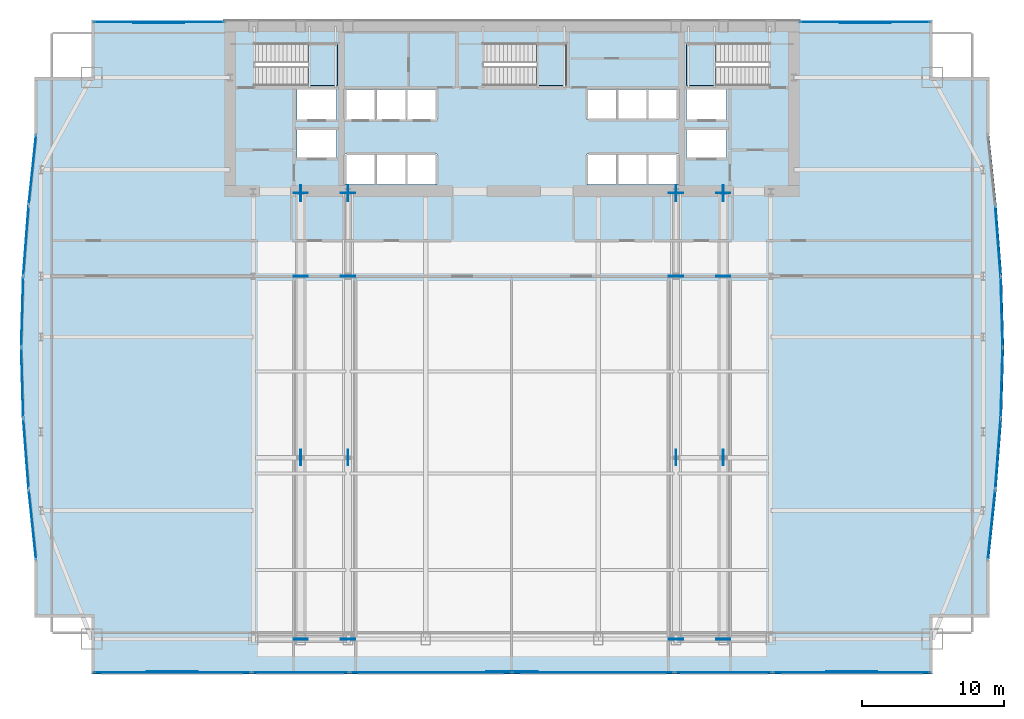
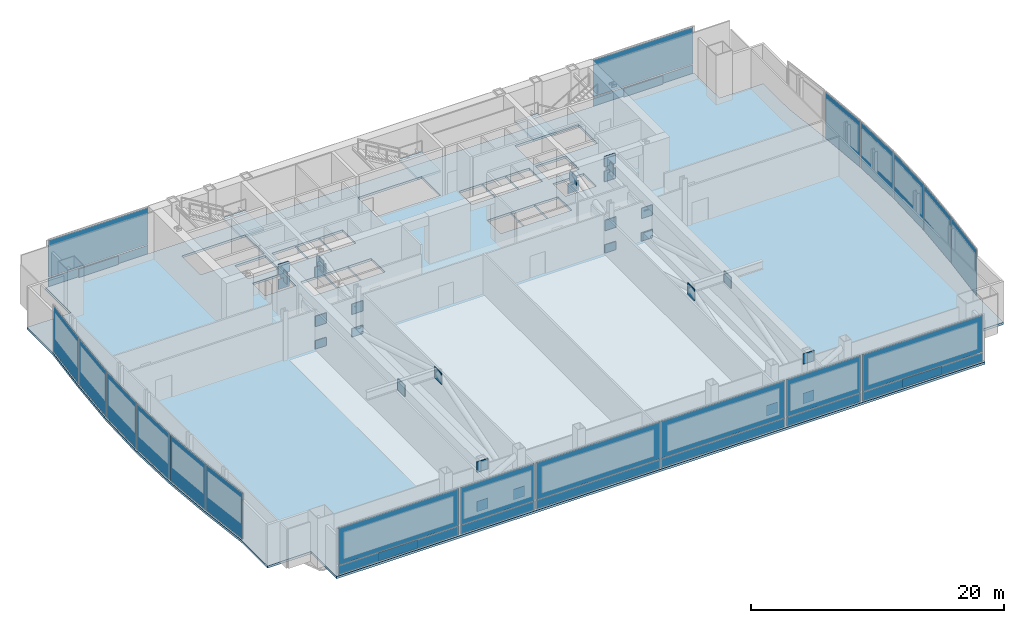
# One storey, part 25 of 32: 60 plates, 4 slabs, 21 elements without a shape of their own.
"""IFC4 building model written with IfcOpenShell, lengths in metres."""

import ifcopenshell
import ifcopenshell.guid

model = None  # the IFC model being written
_history = None  # IfcOwnerHistory: only IFC2X3 demands one
_inside = {}  # id of a spatial element -> (the spatial element, [elements in it])
_under = {}  # id of a project, library or spatial element -> (it, [spatial elements below it])
_declared = {}  # id of a project -> (the project, [libraries it declares])
_typed = {}  # id of a type object -> (the type object, [elements of that type])
_made_of = {}  # id of a material, layer set ... -> (it, [elements and type objects made of it])


def new_model(schema):
    """Start an empty IFC model of exactly this schema.

    Asked for "IFC4X3", IfcOpenShell would pick the latest addendum, in which some entities
    have other attributes; the version numbers below select the first issue.
    IFC2X3 requires an IfcOwnerHistory on every rooted entity: one is made here for all.
    """
    global model, _history
    if schema == "IFC4X3":
        model = ifcopenshell.file(schema_version=(4, 3, 0, 0))
    else:
        model = ifcopenshell.file(schema=schema)
    _inside.clear()
    _under.clear()
    _declared.clear()
    _typed.clear()
    _made_of.clear()
    _history = None
    if model.schema == "IFC2X3":
        org = make("IfcOrganization", Name="unknown")
        user = make(
            "IfcPersonAndOrganization",
            ThePerson=make("IfcPerson", FamilyName="unknown"),
            TheOrganization=org,
        )
        app = make(
            "IfcApplication",
            ApplicationDeveloper=org,
            Version="unknown",
            ApplicationFullName="unknown",
            ApplicationIdentifier="unknown",
        )
        _history = make(
            "IfcOwnerHistory",
            OwningUser=user,
            OwningApplication=app,
            ChangeAction="ADDED",
            CreationDate=0,
        )
    return model


def make(cls, **values):
    """One entity of the class cls with the attributes given. An attribute that is None is left unset."""
    return model.create_entity(
        cls, **{name: value for name, value in values.items() if value is not None}
    )


def rooted(cls, **values):
    """An entity with a GlobalId (a new one), such as an element, a storey or a relation."""
    return make(cls, GlobalId=ifcopenshell.guid.new(), OwnerHistory=_history, **values)


def si_unit(unit_type, name, prefix=None):
    """IfcSIUnit, for example si_unit("LENGTHUNIT", "METRE", prefix="MILLI")."""
    return make("IfcSIUnit", UnitType=unit_type, Prefix=prefix, Name=name)


def assignment(units):
    """IfcUnitAssignment: the units of a project."""
    return None if units is None else make("IfcUnitAssignment", Units=units)


def point(xyz):
    """IfcCartesianPoint."""
    return None if xyz is None else make("IfcCartesianPoint", Coordinates=xyz)


def direction(xyz):
    """IfcDirection."""
    return None if xyz is None else make("IfcDirection", DirectionRatios=xyz)


def frame(location, z_axis=None, x_axis=None):
    """IfcAxis2Placement3D, a coordinate frame: its origin and axes. An axis left out is left unset."""
    return make(
        "IfcAxis2Placement3D",
        Location=point(location),
        Axis=direction(z_axis),
        RefDirection=direction(x_axis),
    )


def frame_2d(location, x_axis=None):
    """IfcAxis2Placement2D, a coordinate frame in the plane: its origin and x axis."""
    return make(
        "IfcAxis2Placement2D", Location=point(location), RefDirection=direction(x_axis)
    )


def origin():
    """The frame at (0, 0, 0) with its axes left unset."""
    return frame((0.0, 0.0, 0.0))


def origin_2d():
    """The frame at (0, 0) in the plane with its x axis left unset."""
    return frame_2d((0.0, 0.0))


def place(relative_to, where):
    """IfcLocalPlacement: puts the frame where relative to a parent placement (None: the world)."""
    return make(
        "IfcLocalPlacement", PlacementRelTo=relative_to, RelativePlacement=where
    )


def context(
    kind, dimensions, precision=None, world=None, true_north=None, identifier=None
):
    """IfcGeometricRepresentationContext, for example the 3D "Model" context."""
    return make(
        "IfcGeometricRepresentationContext",
        ContextIdentifier=identifier,
        ContextType=kind,
        CoordinateSpaceDimension=dimensions,
        Precision=precision,
        WorldCoordinateSystem=world,
        TrueNorth=true_north,
    )


def subcontext(parent, identifier, kind, view, scale=None):
    """IfcGeometricRepresentationSubContext, for example "Body" below "Model"."""
    return make(
        "IfcGeometricRepresentationSubContext",
        ContextIdentifier=identifier,
        ContextType=kind,
        ParentContext=parent,
        TargetScale=scale,
        TargetView=view,
    )


def project(units=None, contexts=None):
    """IfcProject with its units and contexts."""
    return rooted(
        "IfcProject",
        Name="project",
        RepresentationContexts=contexts,
        UnitsInContext=assignment(units),
    )


def spatial(cls, under=None, at=None, **own):
    """A site, building, storey or space (cls), placed at a placement, below another one or the project."""
    s = rooted(cls, ObjectPlacement=at, **own)
    if under is not None:
        _under.setdefault(under.id(), (under, []))[1].append(s)
    return s


def polyline(points):
    """IfcPolyline through the points."""
    return make("IfcPolyline", Points=[point(p) for p in points])


def profile(cls, at=None, kind="AREA", **sizes):
    """A parametric profile (cls). Its sizes go by their IFC names, for example OverallWidth=200.0."""
    return make(cls, ProfileType=kind, Position=at, **sizes)


def rectangle(**sizes):
    """IfcRectangleProfileDef."""
    return profile("IfcRectangleProfileDef", **sizes)


def outline(outer, holes=None, kind="AREA"):
    """IfcArbitraryClosedProfileDef: a profile drawn as a closed curve; with holes, ...WithVoids."""
    if holes is None:
        return make("IfcArbitraryClosedProfileDef", ProfileType=kind, OuterCurve=outer)
    return make(
        "IfcArbitraryProfileDefWithVoids",
        ProfileType=kind,
        OuterCurve=outer,
        InnerCurves=holes,
    )


def extrude(swept, where, along, depth):
    """IfcExtrudedAreaSolid: the profile swept, set in the frame where, extruded along a direction by depth."""
    return make(
        "IfcExtrudedAreaSolid",
        SweptArea=swept,
        Position=where,
        ExtrudedDirection=direction(along),
        Depth=depth,
    )


def shape(context_of_items, identifier, shape_type, items):
    """IfcShapeRepresentation: the items that make up one representation, for example the "Body"."""
    return make(
        "IfcShapeRepresentation",
        ContextOfItems=context_of_items,
        RepresentationIdentifier=identifier,
        RepresentationType=shape_type,
        Items=items,
    )


def material(Name=None, Category=None):
    """IfcMaterial."""
    return make("IfcMaterial", Name=Name, Category=Category)


def layer(
    of_material, thickness, ventilated=None, Name=None, Category=None, Priority=None
):
    """IfcMaterialLayer: one layer of a wall or slab, of a material (None: an air gap)."""
    return make(
        "IfcMaterialLayer",
        Material=of_material,
        LayerThickness=thickness,
        IsVentilated=ventilated,
        Name=Name,
        Category=Category,
        Priority=Priority,
    )


def layer_set(layers, Name=None):
    """IfcMaterialLayerSet."""
    return make("IfcMaterialLayerSet", MaterialLayers=layers, LayerSetName=Name)


def made_of(thing, what):
    """Note that an element or type object is made of a material, layer set ...; save() writes the relation."""
    if what is not None:
        _made_of.setdefault(what.id(), (what, []))[1].append(thing)
    return thing


def type_object(cls, material=None, **own):
    """A type object (cls), such as IfcWallType, which elements share."""
    return made_of(rooted(cls, **own), material)


def element(
    cls,
    number,
    at=None,
    inside=None,
    cuts=None,
    type_object=None,
    material=None,
    context=None,
    identifier="Body",
    shape_type=None,
    held_by="IfcProductDefinitionShape",
    body=None,
    shapes=None,
    **own,
):
    """One element of the class cls, such as IfcWall. Its Tag is "e" and its number.

    at: its placement. inside: the storey or other place that contains it. cuts: it is an
    opening in that element (IfcRelVoidsElement). A single representation is given by context,
    identifier, shape_type and body (its items); several are given by shapes. held_by: the class
    of the entity that holds the representations. save() writes the other relations.
    """
    e = rooted(cls, Tag="e%d" % number, ObjectPlacement=at, **own)
    if body is not None:
        shapes = [shape(context, identifier, shape_type, body)]
    if shapes is not None:
        e.Representation = make(held_by, Representations=shapes)
    if inside is not None:
        _inside.setdefault(inside.id(), (inside, []))[1].append(e)
    if cuts is not None:
        rooted(
            "IfcRelVoidsElement", RelatingBuildingElement=cuts, RelatedOpeningElement=e
        )
    if type_object is not None:
        _typed.setdefault(type_object.id(), (type_object, []))[1].append(e)
    return made_of(e, material)


def aggregate(whole, parts):
    """IfcRelAggregates: a whole, such as a stair, and the parts it consists of."""
    return rooted("IfcRelAggregates", RelatingObject=whole, RelatedObjects=parts)


def save(model, path):
    """Write the relations noted so far, then the file.

    IfcRelAggregates (storeys below a building ...), IfcRelContainedInSpatialStructure (elements
    in a storey), IfcRelDefinesByType, IfcRelAssociatesMaterial and IfcRelDeclares: one each for
    every whole, place, type object, material and project.
    """
    for whole, parts in _under.values():
        aggregate(whole, parts)
    for where, things in _inside.values():
        rooted(
            "IfcRelContainedInSpatialStructure",
            RelatedElements=things,
            RelatingStructure=where,
        )
    for kind, things in _typed.values():
        rooted("IfcRelDefinesByType", RelatedObjects=things, RelatingType=kind)
    for what, things in _made_of.values():
        rooted("IfcRelAssociatesMaterial", RelatedObjects=things, RelatingMaterial=what)
    for by, libraries in _declared.values():
        rooted("IfcRelDeclares", RelatingContext=by, RelatedDefinitions=libraries)
    model.write(path)


model = new_model("IFC4")

# Units and contexts
model_context = context("Model", 3, precision=1e-05, world=origin(), true_north=direction((0.0, 1.0)))
body_context = subcontext(model_context, "Body", "Model", "MODEL_VIEW")
ifc_project = project(units=[si_unit("LENGTHUNIT", "METRE"), si_unit("AREAUNIT", "SQUARE_METRE"), si_unit("VOLUMEUNIT", "CUBIC_METRE"), si_unit("PLANEANGLEUNIT", "RADIAN"), si_unit("MASSUNIT", "GRAM", prefix="KILO")], contexts=[model_context])

# Site, building, storey
site_placement = place(None, origin())
site = spatial("IfcSite", under=ifc_project, at=site_placement, CompositionType="ELEMENT")
building_placement = place(site_placement, origin())
building = spatial("IfcBuilding", under=site, at=building_placement, Name="Khoronbel Lancet Exchange", CompositionType="ELEMENT")
storey_placement = place(building_placement, frame((0.0, 0.0, 85.800048828125)))
storey = spatial("IfcBuildingStorey", under=building, at=storey_placement, Name="L20", CompositionType="ELEMENT", Elevation=85.800048828125)

# Curtain wall, plate
ifc_material_1 = material(Name="Low-E Solar Control Insulating Glass", Category="glass")
curtain_wall_type_1 = type_object("IfcCurtainWallType", Name="CW-4", PredefinedType="NOTDEFINED", material=ifc_material_1)
curtain_wall_1_placement = place(storey_placement, origin())
curtain_wall_1 = element("IfcCurtainWall", 1, at=curtain_wall_1_placement, inside=storey, type_object=curtain_wall_type_1, Name="Unitised curtain wall CW-L20-E05", PredefinedType="NOTDEFINED")
ifc_material_2 = material(Name="Bronze-Anodised Aluminium 6063-T6", Category="aluminium")
ifc_layer_1 = layer(ifc_material_2, 0.050048828125, Name="Bronze-Anodised Aluminium 6063-T6")
ifc_layer_set_1 = layer_set([ifc_layer_1], Name="Bronze-Anodised Aluminium 6063-T6")
plate_type_1 = type_object("IfcPlateType", Name="PLT-CSP1", PredefinedType="SHEET", material=ifc_layer_set_1)
plate_1_placement = place(storey_placement, frame((2.22265625, 23.206298828125, 0.0849609375), z_axis=(0.0, 0.0, 1.0), x_axis=(-0.076626304874, 0.997059882555, 0.0)))
plate_1 = element("IfcPlate", 2, at=plate_1_placement, type_object=plate_type_1, Name="CW4 panel 1.1", PredefinedType="CURTAIN_PANEL", context=body_context, shape_type="SweptSolid", body=[
    extrude(rectangle(XDim=4.861328125, YDim=0.0380859375, at=origin_2d()), origin(), (0.0, 0.0, 1.0), 4.449951171875),
])
aggregate(curtain_wall_1, [plate_1])

curtain_wall_2_placement = place(storey_placement, origin())
curtain_wall_2 = element("IfcCurtainWall", 3, at=curtain_wall_2_placement, inside=storey, type_object=curtain_wall_type_1, Name="Unitised curtain wall CW-L20-E06", PredefinedType="NOTDEFINED")
plate_2_placement = place(storey_placement, frame((1.960205078125, 28.202392578125, 0.0849609375), z_axis=(0.0, 0.0, 1.0), x_axis=(-0.028135315146, 0.999604123662, 0.0)))
plate_2 = element("IfcPlate", 4, at=plate_2_placement, type_object=plate_type_1, Name="CW4 panel 1.1", PredefinedType="CURTAIN_PANEL", context=body_context, shape_type="SweptSolid", body=[
    extrude(rectangle(XDim=4.84716796875, YDim=0.0380859375, at=origin_2d()), origin(), (0.0, 0.0, 1.0), 4.449951171875),
])
aggregate(curtain_wall_2, [plate_2])

curtain_wall_3_placement = place(storey_placement, origin())
curtain_wall_3 = element("IfcCurtainWall", 5, at=curtain_wall_3_placement, inside=storey, type_object=curtain_wall_type_1, Name="Unitised curtain wall CW-L20-E07", PredefinedType="NOTDEFINED")
plate_3_placement = place(storey_placement, frame((1.960205078125, 33.19775390625, 0.0849609375), z_axis=(0.0, 0.0, 1.0), x_axis=(0.028135315146, 0.999604123662, 0.0)))
plate_3 = element("IfcPlate", 6, at=plate_3_placement, type_object=plate_type_1, Name="CW4 panel 1.1", PredefinedType="CURTAIN_PANEL", context=body_context, shape_type="SweptSolid", body=[
    extrude(rectangle(XDim=4.84716796875, YDim=0.0380859375, at=origin_2d()), origin(), (0.0, 0.0, 1.0), 4.449951171875),
])
aggregate(curtain_wall_3, [plate_3])

curtain_wall_4_placement = place(storey_placement, origin())
curtain_wall_4 = element("IfcCurtainWall", 7, at=curtain_wall_4_placement, inside=storey, type_object=curtain_wall_type_1, Name="Unitised curtain wall CW-L20-E08", PredefinedType="NOTDEFINED")
plate_4_placement = place(storey_placement, frame((2.22265625, 38.193603515625, 0.0849609375), z_axis=(0.0, 0.0, 1.0), x_axis=(0.076626304874, 0.997059882555, 0.0)))
plate_4 = element("IfcPlate", 8, at=plate_4_placement, type_object=plate_type_1, Name="CW4 panel 1.1", PredefinedType="CURTAIN_PANEL", context=body_context, shape_type="SweptSolid", body=[
    extrude(rectangle(XDim=4.861328125, YDim=0.0380859375, at=origin_2d()), origin(), (0.0, 0.0, 1.0), 4.449951171875),
])
aggregate(curtain_wall_4, [plate_4])

curtain_wall_type_2 = type_object("IfcCurtainWallType", Name="CW-2", PredefinedType="NOTDEFINED", material=ifc_material_1)
curtain_wall_5_placement = place(storey_placement, origin())
curtain_wall_5 = element("IfcCurtainWall", 9, at=curtain_wall_5_placement, inside=storey, type_object=curtain_wall_type_2, Name="Unitised curtain wall CW-L20-NWFLK", PredefinedType="NOTDEFINED")
plate_5_placement = place(storey_placement, frame((11.580078125, 53.550048828125, 0.0498046875), z_axis=(0.0, 0.0, 1.0), x_axis=(-1.0, 0.0, 0.0)))
plate_5 = element("IfcPlate", 10, at=plate_5_placement, type_object=plate_type_1, Name="Insulated bronze spandrel cassette CW-L20-NWFLK", PredefinedType="SHEET", context=body_context, shape_type="SweptSolid", body=[
    extrude(rectangle(XDim=3.60009765625, YDim=0.050048828125, at=origin_2d()), origin(), (0.0, 0.0, 1.0), 0.800048828125),
])

curtain_wall_6_placement = place(storey_placement, origin())
curtain_wall_6 = element("IfcCurtainWall", 11, at=curtain_wall_6_placement, inside=storey, type_object=curtain_wall_type_2, Name="Unitised curtain wall CW-L20-NEFLK", PredefinedType="NOTDEFINED")
plate_6_placement = place(storey_placement, frame((61.320068359375, 53.550048828125, 0.0498046875), z_axis=(0.0, 0.0, 1.0), x_axis=(-1.0, 0.0, 0.0)))
plate_6 = element("IfcPlate", 12, at=plate_6_placement, type_object=plate_type_1, Name="Insulated bronze spandrel cassette CW-L20-NEFLK", PredefinedType="SHEET", context=body_context, shape_type="SweptSolid", body=[
    extrude(rectangle(XDim=3.60009765625, YDim=0.050048828125, at=origin_2d()), origin(), (0.0, 0.0, 1.0), 0.800048828125),
])

curtain_wall_7_placement = place(storey_placement, origin())
curtain_wall_7 = element("IfcCurtainWall", 13, at=curtain_wall_7_placement, inside=storey, type_object=curtain_wall_type_1, Name="Unitised curtain wall CW-L20-E18", PredefinedType="NOTDEFINED")
plate_7_placement = place(storey_placement, frame((70.677490234375, 38.193603515625, 0.0849609375), z_axis=(0.0, 0.0, 1.0), x_axis=(0.076626304874, -0.997059882555, 0.0)))
plate_7 = element("IfcPlate", 14, at=plate_7_placement, type_object=plate_type_1, Name="CW4 panel 1.1", PredefinedType="CURTAIN_PANEL", context=body_context, shape_type="SweptSolid", body=[
    extrude(rectangle(XDim=4.861328125, YDim=0.0380859375, at=origin_2d()), origin(), (0.0, 0.0, 1.0), 4.449951171875),
])
aggregate(curtain_wall_7, [plate_7])

curtain_wall_8_placement = place(storey_placement, origin())
curtain_wall_8 = element("IfcCurtainWall", 15, at=curtain_wall_8_placement, inside=storey, type_object=curtain_wall_type_1, Name="Unitised curtain wall CW-L20-E19", PredefinedType="NOTDEFINED")
plate_8_placement = place(storey_placement, frame((70.939697265625, 33.19775390625, 0.0849609375), z_axis=(0.0, 0.0, 1.0), x_axis=(0.028135315146, -0.999604123662, 0.0)))
plate_8 = element("IfcPlate", 16, at=plate_8_placement, type_object=plate_type_1, Name="CW4 panel 1.1", PredefinedType="CURTAIN_PANEL", context=body_context, shape_type="SweptSolid", body=[
    extrude(rectangle(XDim=4.84716796875, YDim=0.0380859375, at=origin_2d()), origin(), (0.0, 0.0, 1.0), 4.449951171875),
])
aggregate(curtain_wall_8, [plate_8])

curtain_wall_9_placement = place(storey_placement, origin())
curtain_wall_9 = element("IfcCurtainWall", 17, at=curtain_wall_9_placement, inside=storey, type_object=curtain_wall_type_1, Name="Unitised curtain wall CW-L20-E20", PredefinedType="NOTDEFINED")
plate_9_placement = place(storey_placement, frame((70.939697265625, 28.202392578125, 0.0849609375), z_axis=(0.0, 0.0, 1.0), x_axis=(-0.028135315146, -0.999604123662, 0.0)))
plate_9 = element("IfcPlate", 18, at=plate_9_placement, type_object=plate_type_1, Name="CW4 panel 1.1", PredefinedType="CURTAIN_PANEL", context=body_context, shape_type="SweptSolid", body=[
    extrude(rectangle(XDim=4.84716796875, YDim=0.0380859375, at=origin_2d()), origin(), (0.0, 0.0, 1.0), 4.449951171875),
])
aggregate(curtain_wall_9, [plate_9])

curtain_wall_10_placement = place(storey_placement, origin())
curtain_wall_10 = element("IfcCurtainWall", 19, at=curtain_wall_10_placement, inside=storey, type_object=curtain_wall_type_1, Name="Unitised curtain wall CW-L20-E21", PredefinedType="NOTDEFINED")
plate_10_placement = place(storey_placement, frame((70.677490234375, 23.206298828125, 0.0849609375), z_axis=(0.0, 0.0, 1.0), x_axis=(-0.076626304874, -0.997059882555, 0.0)))
plate_10 = element("IfcPlate", 20, at=plate_10_placement, type_object=plate_type_1, Name="CW4 panel 1.1", PredefinedType="CURTAIN_PANEL", context=body_context, shape_type="SweptSolid", body=[
    extrude(rectangle(XDim=4.861328125, YDim=0.0380859375, at=origin_2d()), origin(), (0.0, 0.0, 1.0), 4.449951171875),
])
aggregate(curtain_wall_10, [plate_10])

curtain_wall_11_placement = place(storey_placement, origin())
curtain_wall_11 = element("IfcCurtainWall", 21, at=curtain_wall_11_placement, inside=storey, type_object=curtain_wall_type_2, Name="Unitised curtain wall CW-L20-SWV", PredefinedType="NOTDEFINED")
plate_11_placement = place(storey_placement, frame((12.52001953125, 7.85009765625, 0.0498046875), z_axis=(0.0, 0.0, 1.0), x_axis=(1.0, 0.0, 0.0)))
plate_11 = element("IfcPlate", 22, at=plate_11_placement, type_object=plate_type_1, Name="Insulated bronze spandrel cassette CW-L20-SWV", PredefinedType="SHEET", context=body_context, shape_type="SweptSolid", body=[
    extrude(rectangle(XDim=3.60009765625, YDim=0.050048828125, at=origin_2d()), origin(), (0.0, 0.0, 1.0), 0.800048828125),
])

# Curtain wall, plates
curtain_wall_12_placement = place(storey_placement, origin())
curtain_wall_12 = element("IfcCurtainWall", 23, at=curtain_wall_12_placement, inside=storey, type_object=curtain_wall_type_2, Name="Unitised curtain wall CW-L20-SWB", PredefinedType="NOTDEFINED")
plate_12_placement = place(storey_placement, frame((21.550048828125, 7.7900390625, 0.0849609375), z_axis=(0.0, 0.0, 1.0), x_axis=(1.0, 0.0, 0.0)))
plate_12 = element("IfcPlate", 24, at=plate_12_placement, type_object=plate_type_1, Name="CW2 panel 1.1", PredefinedType="CURTAIN_PANEL", context=body_context, shape_type="SweptSolid", body=[
    extrude(rectangle(XDim=6.72998046875, YDim=0.0380859375, at=origin_2d()), origin(), (0.0, 0.0, 1.0), 0.822509765625),
])
plate_13_placement = place(storey_placement, frame((21.550048828125, 7.7900390625, 0.992431640625), z_axis=(0.0, 0.0, 1.0), x_axis=(1.0, 0.0, 0.0)))
plate_13 = element("IfcPlate", 25, at=plate_13_placement, type_object=plate_type_1, Name="CW2 panel 1.2", PredefinedType="CURTAIN_PANEL", context=body_context, shape_type="SweptSolid", body=[
    extrude(rectangle(XDim=6.72998046875, YDim=0.0380859375, at=origin_2d()), origin(), (0.0, 0.0, 1.0), 3.54248046875),
])
aggregate(curtain_wall_12, [plate_12, plate_13])

# Curtain wall, plate
curtain_wall_13_placement = place(storey_placement, origin())
curtain_wall_13 = element("IfcCurtainWall", 26, at=curtain_wall_13_placement, inside=storey, type_object=curtain_wall_type_2, Name="Unitised curtain wall CW-L20-SCV", PredefinedType="NOTDEFINED")
plate_14_placement = place(storey_placement, frame((36.449951171875, 7.85009765625, 0.0498046875), z_axis=(0.0, 0.0, 1.0), x_axis=(1.0, 0.0, 0.0)))
plate_14 = element("IfcPlate", 27, at=plate_14_placement, type_object=plate_type_1, Name="Insulated bronze spandrel cassette CW-L20-SCV", PredefinedType="SHEET", context=body_context, shape_type="SweptSolid", body=[
    extrude(rectangle(XDim=3.60009765625, YDim=0.050048828125, at=origin_2d()), origin(), (0.0, 0.0, 1.0), 0.800048828125),
])

# Curtain wall, plates
curtain_wall_14_placement = place(storey_placement, origin())
curtain_wall_14 = element("IfcCurtainWall", 28, at=curtain_wall_14_placement, inside=storey, type_object=curtain_wall_type_2, Name="Unitised curtain wall CW-L20-SEB", PredefinedType="NOTDEFINED")
plate_15_placement = place(storey_placement, frame((51.35009765625, 7.7900390625, 0.0849609375), z_axis=(0.0, 0.0, 1.0), x_axis=(1.0, 0.0, 0.0)))
plate_15 = element("IfcPlate", 29, at=plate_15_placement, type_object=plate_type_1, Name="CW2 panel 1.1", PredefinedType="CURTAIN_PANEL", context=body_context, shape_type="SweptSolid", body=[
    extrude(rectangle(XDim=6.72998046875, YDim=0.0380859375, at=origin_2d()), origin(), (0.0, 0.0, 1.0), 0.822509765625),
])
plate_16_placement = place(storey_placement, frame((51.35009765625, 7.7900390625, 0.992431640625), z_axis=(0.0, 0.0, 1.0), x_axis=(1.0, 0.0, 0.0)))
plate_16 = element("IfcPlate", 30, at=plate_16_placement, type_object=plate_type_1, Name="CW2 panel 1.2", PredefinedType="CURTAIN_PANEL", context=body_context, shape_type="SweptSolid", body=[
    extrude(rectangle(XDim=6.72998046875, YDim=0.0380859375, at=origin_2d()), origin(), (0.0, 0.0, 1.0), 3.54248046875),
])
aggregate(curtain_wall_14, [plate_15, plate_16])

# Curtain wall, plate
curtain_wall_15_placement = place(storey_placement, origin())
curtain_wall_15 = element("IfcCurtainWall", 31, at=curtain_wall_15_placement, inside=storey, type_object=curtain_wall_type_2, Name="Unitised curtain wall CW-L20-SEV", PredefinedType="NOTDEFINED")
plate_17_placement = place(storey_placement, frame((60.3798828125, 7.85009765625, 0.0498046875), z_axis=(0.0, 0.0, 1.0), x_axis=(1.0, 0.0, 0.0)))
plate_17 = element("IfcPlate", 32, at=plate_17_placement, type_object=plate_type_1, Name="Insulated bronze spandrel cassette CW-L20-SEV", PredefinedType="SHEET", context=body_context, shape_type="SweptSolid", body=[
    extrude(rectangle(XDim=3.60009765625, YDim=0.050048828125, at=origin_2d()), origin(), (0.0, 0.0, 1.0), 0.800048828125),
])

# Plate
ifc_layer_2 = layer(ifc_material_1, 0.035888671875, Name="Low-E Solar Control Insulating Glass")
ifc_layer_set_2 = layer_set([ifc_layer_2], Name="Low-E Solar Control Insulating Glass")
plate_type_2 = type_object("IfcPlateType", Name="PLT-CWP1", PredefinedType="CURTAIN_PANEL", material=ifc_layer_set_2)
plate_18_placement = place(storey_placement, frame((11.580078125, 53.610107421875, 0.0849609375), z_axis=(0.0, 0.0, 1.0), x_axis=(-1.0, 0.0, 0.0)))
plate_18 = element("IfcPlate", 33, at=plate_18_placement, type_object=plate_type_2, Name="CW2 panel 1.1", PredefinedType="CURTAIN_PANEL", context=body_context, shape_type="SweptSolid", body=[
    extrude(rectangle(XDim=9.110107421875, YDim=0.0380859375, at=origin_2d()), origin(), (0.0, 0.0, 1.0), 0.822509765625),
])

plate_19_placement = place(storey_placement, frame((11.580078125, 53.610107421875, 0.992431640625), z_axis=(0.0, 0.0, 1.0), x_axis=(-1.0, 0.0, 0.0)))
plate_19 = element("IfcPlate", 34, at=plate_19_placement, type_object=plate_type_2, Name="CW2 panel 1.2", PredefinedType="CURTAIN_PANEL", context=body_context, shape_type="SweptSolid", body=[
    extrude(rectangle(XDim=9.110107421875, YDim=0.0380859375, at=origin_2d()), origin(), (0.0, 0.0, 1.0), 3.54248046875),
])

aggregate(curtain_wall_5, [plate_18, plate_19, plate_5])

plate_20_placement = place(storey_placement, frame((61.320068359375, 53.610107421875, 0.0849609375), z_axis=(0.0, 0.0, 1.0), x_axis=(-1.0, 0.0, 0.0)))
plate_20 = element("IfcPlate", 35, at=plate_20_placement, type_object=plate_type_2, Name="CW2 panel 1.1", PredefinedType="CURTAIN_PANEL", context=body_context, shape_type="SweptSolid", body=[
    extrude(rectangle(XDim=9.110107421875, YDim=0.0380859375, at=origin_2d()), origin(), (0.0, 0.0, 1.0), 0.822509765625),
])

plate_21_placement = place(storey_placement, frame((61.320068359375, 53.610107421875, 0.992431640625), z_axis=(0.0, 0.0, 1.0), x_axis=(-1.0, 0.0, 0.0)))
plate_21 = element("IfcPlate", 36, at=plate_21_placement, type_object=plate_type_2, Name="CW2 panel 1.2", PredefinedType="CURTAIN_PANEL", context=body_context, shape_type="SweptSolid", body=[
    extrude(rectangle(XDim=9.110107421875, YDim=0.0380859375, at=origin_2d()), origin(), (0.0, 0.0, 1.0), 3.54248046875),
])

aggregate(curtain_wall_6, [plate_20, plate_21, plate_6])

plate_22_placement = place(storey_placement, frame((12.52001953125, 7.7900390625, 0.0849609375), z_axis=(0.0, 0.0, 1.0), x_axis=(1.0, 0.0, 0.0)))
plate_22 = element("IfcPlate", 37, at=plate_22_placement, type_object=plate_type_2, Name="CW2 panel 1.1", PredefinedType="CURTAIN_PANEL", context=body_context, shape_type="SweptSolid", body=[
    extrude(rectangle(XDim=10.989990234375, YDim=0.0380859375, at=origin_2d()), origin(), (0.0, 0.0, 1.0), 0.822509765625),
])

plate_23_placement = place(storey_placement, frame((12.52001953125, 7.7900390625, 0.992431640625), z_axis=(0.0, 0.0, 1.0), x_axis=(1.0, 0.0, 0.0)))
plate_23 = element("IfcPlate", 38, at=plate_23_placement, type_object=plate_type_2, Name="CW2 panel 1.2", PredefinedType="CURTAIN_PANEL", context=body_context, shape_type="SweptSolid", body=[
    extrude(rectangle(XDim=10.989990234375, YDim=0.0380859375, at=origin_2d()), origin(), (0.0, 0.0, 1.0), 3.54248046875),
])

aggregate(curtain_wall_11, [plate_22, plate_23, plate_11])

plate_24_placement = place(storey_placement, frame((30.746337890625, 7.7900390625, 0.0849609375), z_axis=(0.0, 0.0, 1.0), x_axis=(1.0, 0.0, 0.0)))
plate_24 = element("IfcPlate", 39, at=plate_24_placement, type_object=plate_type_2, Name="CW2 panel 1.1", PredefinedType="CURTAIN_PANEL", context=body_context, shape_type="SweptSolid", body=[
    extrude(rectangle(XDim=11.322509765625, YDim=0.0380859375, at=origin_2d()), origin(), (0.0, 0.0, 1.0), 0.822509765625),
])

plate_25_placement = place(storey_placement, frame((30.746337890625, 7.7900390625, 0.992431640625), z_axis=(0.0, 0.0, 1.0), x_axis=(1.0, 0.0, 0.0)))
plate_25 = element("IfcPlate", 40, at=plate_25_placement, type_object=plate_type_2, Name="CW2 panel 1.2", PredefinedType="CURTAIN_PANEL", context=body_context, shape_type="SweptSolid", body=[
    extrude(rectangle(XDim=11.322509765625, YDim=0.0380859375, at=origin_2d()), origin(), (0.0, 0.0, 1.0), 3.54248046875),
])

plate_26_placement = place(storey_placement, frame((42.15380859375, 7.7900390625, 0.0849609375), z_axis=(0.0, 0.0, 1.0), x_axis=(1.0, 0.0, 0.0)))
plate_26 = element("IfcPlate", 41, at=plate_26_placement, type_object=plate_type_2, Name="CW2 panel 2.1", PredefinedType="CURTAIN_PANEL", context=body_context, shape_type="SweptSolid", body=[
    extrude(rectangle(XDim=11.322509765625, YDim=0.0380859375, at=origin_2d()), origin(), (0.0, 0.0, 1.0), 0.822509765625),
])

plate_27_placement = place(storey_placement, frame((42.15380859375, 7.7900390625, 0.992431640625), z_axis=(0.0, 0.0, 1.0), x_axis=(1.0, 0.0, 0.0)))
plate_27 = element("IfcPlate", 42, at=plate_27_placement, type_object=plate_type_2, Name="CW2 panel 2.2", PredefinedType="CURTAIN_PANEL", context=body_context, shape_type="SweptSolid", body=[
    extrude(rectangle(XDim=11.322509765625, YDim=0.0380859375, at=origin_2d()), origin(), (0.0, 0.0, 1.0), 3.54248046875),
])

aggregate(curtain_wall_13, [plate_24, plate_25, plate_26, plate_27, plate_14])

plate_28_placement = place(storey_placement, frame((60.3798828125, 7.7900390625, 0.0849609375), z_axis=(0.0, 0.0, 1.0), x_axis=(1.0, 0.0, 0.0)))
plate_28 = element("IfcPlate", 43, at=plate_28_placement, type_object=plate_type_2, Name="CW2 panel 1.1", PredefinedType="CURTAIN_PANEL", context=body_context, shape_type="SweptSolid", body=[
    extrude(rectangle(XDim=10.989990234375, YDim=0.0380859375, at=origin_2d()), origin(), (0.0, 0.0, 1.0), 0.822509765625),
])

plate_29_placement = place(storey_placement, frame((60.3798828125, 7.7900390625, 0.992431640625), z_axis=(0.0, 0.0, 1.0), x_axis=(1.0, 0.0, 0.0)))
plate_29 = element("IfcPlate", 44, at=plate_29_placement, type_object=plate_type_2, Name="CW2 panel 1.2", PredefinedType="CURTAIN_PANEL", context=body_context, shape_type="SweptSolid", body=[
    extrude(rectangle(XDim=10.989990234375, YDim=0.0380859375, at=origin_2d()), origin(), (0.0, 0.0, 1.0), 3.54248046875),
])

aggregate(curtain_wall_15, [plate_28, plate_29, plate_17])

# Curtain wall, plate
curtain_wall_16_placement = place(storey_placement, origin())
curtain_wall_16 = element("IfcCurtainWall", 45, at=curtain_wall_16_placement, inside=storey, type_object=curtain_wall_type_1, Name="Unitised curtain wall CW-L20-E04", PredefinedType="NOTDEFINED")
ifc_material_3 = material(Name="Ceramic-Fritted Laminated Insulating Glass", Category="glass")
ifc_layer_3 = layer(ifc_material_3, 0.0419921875, Name="Ceramic-Fritted Laminated Insulating Glass")
ifc_layer_set_3 = layer_set([ifc_layer_3], Name="Ceramic-Fritted Laminated Insulating Glass")
plate_type_3 = type_object("IfcPlateType", Name="PLT-CWP2", PredefinedType="CURTAIN_PANEL", material=ifc_layer_set_3)
plate_30_placement = place(storey_placement, frame((2.67724609375, 18.206298828125, 0.0849609375), z_axis=(0.0, 0.0, 1.0), x_axis=(-0.104434383958, 0.994531779003, 0.0)))
plate_30 = element("IfcPlate", 46, at=plate_30_placement, type_object=plate_type_3, Name="CW4 panel 1.1", PredefinedType="CURTAIN_PANEL", context=body_context, shape_type="SweptSolid", body=[
    extrude(rectangle(XDim=4.880859375, YDim=0.0380859375, at=origin_2d()), origin(), (0.0, 0.0, 1.0), 4.449951171875),
])
aggregate(curtain_wall_16, [plate_30])

curtain_wall_17_placement = place(storey_placement, origin())
curtain_wall_17 = element("IfcCurtainWall", 47, at=curtain_wall_17_placement, inside=storey, type_object=curtain_wall_type_1, Name="Unitised curtain wall CW-L20-E09", PredefinedType="NOTDEFINED")
plate_31_placement = place(storey_placement, frame((2.67724609375, 43.193603515625, 0.0849609375), z_axis=(0.0, 0.0, 1.0), x_axis=(0.104434383958, 0.994531779003, 0.0)))
plate_31 = element("IfcPlate", 48, at=plate_31_placement, type_object=plate_type_3, Name="CW4 panel 1.1", PredefinedType="CURTAIN_PANEL", context=body_context, shape_type="SweptSolid", body=[
    extrude(rectangle(XDim=4.880859375, YDim=0.0380859375, at=origin_2d()), origin(), (0.0, 0.0, 1.0), 4.449951171875),
])
aggregate(curtain_wall_17, [plate_31])

curtain_wall_18_placement = place(storey_placement, origin())
curtain_wall_18 = element("IfcCurtainWall", 49, at=curtain_wall_18_placement, inside=storey, type_object=curtain_wall_type_1, Name="Unitised curtain wall CW-L20-E22", PredefinedType="NOTDEFINED")
plate_32_placement = place(storey_placement, frame((70.22265625, 18.206298828125, 0.0849609375), z_axis=(0.0, 0.0, 1.0), x_axis=(-0.104434383958, -0.994531779003, 0.0)))
plate_32 = element("IfcPlate", 50, at=plate_32_placement, type_object=plate_type_3, Name="CW4 panel 1.1", PredefinedType="CURTAIN_PANEL", context=body_context, shape_type="SweptSolid", body=[
    extrude(rectangle(XDim=4.880859375, YDim=0.0380859375, at=origin_2d()), origin(), (0.0, 0.0, 1.0), 4.449951171875),
])
aggregate(curtain_wall_18, [plate_32])

# Plates
ifc_material_4 = material(Name="Steel S460", Category="steel")
ifc_layer_4 = layer(ifc_material_4, 0.044921875, Name="Steel S460")
ifc_layer_set_4 = layer_set([ifc_layer_4], Name="Steel S460")
plate_type_4 = type_object("IfcPlateType", Name="PLT-ECP1", PredefinedType="USERDEFINED", material=ifc_layer_set_4)
for number, where, z_axis, x_axis, name in (
    (51, (21.5625, 10.139892578125, -0.199951171875), (0.0, 0.0, 1.0), (0.0, -1.0, 0.0), "Hollow end cap plate PLT-CAP-MEM-L20-OCH1-BOT-S"),
    (52, (21.5625, 35.7099609375, -0.199951171875), (0.0, 0.0, 1.0), (0.0, 1.0, 0.0), "Hollow end cap plate PLT-CAP-MEM-L20-OCH1-BOT-N"),
    (53, (21.5625, 35.68994140625, 2.179931640625), (0.0, 0.0, 1.0), (0.0, -1.0, 0.0), "Hollow end cap plate PLT-CAP-MEM-L20-OCH1-COR-S"),
    (54, (21.5625, 41.56005859375, 2.179931640625), (0.0, 0.0, 1.0), (0.0, 1.0, 0.0), "Hollow end cap plate PLT-CAP-MEM-L20-OCH1-COR-N"),
    (55, (21.5625, 10.139892578125, 3.619873046875), (0.0, 0.0, 1.0), (0.0, -1.0, 0.0), "Hollow end cap plate PLT-CAP-MEM-L20-OCH1-TOP-S"),
    (56, (21.5625, 41.56005859375, 3.619873046875), (0.0, 0.0, 1.0), (0.0, 1.0, 0.0), "Hollow end cap plate PLT-CAP-MEM-L20-OCH1-TOP-N"),
    (57, (24.89990234375, 10.139892578125, -0.199951171875), (0.0, 0.0, 1.0), (0.0, -1.0, 0.0), "Hollow end cap plate PLT-CAP-MEM-L20-OCH2-BOT-S"),
    (58, (24.89990234375, 35.7099609375, -0.199951171875), (0.0, 0.0, 1.0), (0.0, 1.0, 0.0), "Hollow end cap plate PLT-CAP-MEM-L20-OCH2-BOT-N"),
    (59, (24.89990234375, 35.68994140625, 2.179931640625), (0.0, 0.0, 1.0), (0.0, -1.0, 0.0), "Hollow end cap plate PLT-CAP-MEM-L20-OCH2-COR-S"),
    (60, (24.89990234375, 41.56005859375, 2.179931640625), (0.0, 0.0, 1.0), (0.0, 1.0, 0.0), "Hollow end cap plate PLT-CAP-MEM-L20-OCH2-COR-N"),
    (61, (48.0, 10.139892578125, -0.199951171875), (0.0, 0.0, 1.0), (0.0, -1.0, 0.0), "Hollow end cap plate PLT-CAP-MEM-L20-OCH3-BOT-S"),
    (62, (48.0, 35.7099609375, -0.199951171875), (0.0, 0.0, 1.0), (0.0, 1.0, 0.0), "Hollow end cap plate PLT-CAP-MEM-L20-OCH3-BOT-N"),
    (63, (48.0, 35.68994140625, 2.179931640625), (0.0, 0.0, 1.0), (0.0, -1.0, 0.0), "Hollow end cap plate PLT-CAP-MEM-L20-OCH3-COR-S"),
    (64, (48.0, 41.56005859375, 2.179931640625), (0.0, 0.0, 1.0), (0.0, 1.0, 0.0), "Hollow end cap plate PLT-CAP-MEM-L20-OCH3-COR-N"),
    (65, (51.33740234375, 10.139892578125, -0.199951171875), (0.0, 0.0, 1.0), (0.0, -1.0, 0.0), "Hollow end cap plate PLT-CAP-MEM-L20-OCH4-BOT-S"),
    (66, (51.33740234375, 35.7099609375, -0.199951171875), (0.0, 0.0, 1.0), (0.0, 1.0, 0.0), "Hollow end cap plate PLT-CAP-MEM-L20-OCH4-BOT-N"),
    (67, (51.33740234375, 35.68994140625, 2.179931640625), (0.0, 0.0, 1.0), (0.0, -1.0, 0.0), "Hollow end cap plate PLT-CAP-MEM-L20-OCH4-COR-S"),
    (68, (51.33740234375, 41.56005859375, 2.179931640625), (0.0, 0.0, 1.0), (0.0, 1.0, 0.0), "Hollow end cap plate PLT-CAP-MEM-L20-OCH4-COR-N"),
    (69, (51.33740234375, 10.139892578125, 3.619873046875), (0.0, 0.0, 1.0), (0.0, -1.0, 0.0), "Hollow end cap plate PLT-CAP-MEM-L20-OCH4-TOP-S"),
    (70, (51.33740234375, 41.56005859375, 3.619873046875), (0.0, 0.0, 1.0), (0.0, 1.0, 0.0), "Hollow end cap plate PLT-CAP-MEM-L20-OCH4-TOP-N"),
):
    element("IfcPlate", number, at=place(storey_placement, frame(where, z_axis=z_axis, x_axis=x_axis)), inside=storey, type_object=plate_type_4, Name=name, ObjectType="STIFFENER_PLATE", PredefinedType="USERDEFINED", context=body_context, shape_type="SweptSolid", body=[
        extrude(rectangle(XDim=0.044921875, YDim=1.0, at=origin_2d()), origin(), (0.0, 0.0, 1.0), 1.0),
    ])
ifc_layer_5 = layer(ifc_material_4, 0.06005859375, Name="Steel S460")
ifc_layer_set_5 = layer_set([ifc_layer_5], Name="Steel S460")
plate_type_5 = type_object("IfcPlateType", Name="PLT-ND5", PredefinedType="USERDEFINED", material=ifc_layer_set_5)
for number, where, z_axis, x_axis, name in (
    (71, (21.5625, 22.925048828125, 3.31982421875), (0.0, 0.0, 1.0), (1.0, 0.0, 0.0), "ND5 outrigger apex node gusset L20-1"),
    (72, (21.5625, 41.550048828125, 2.849853515625), (0.0, 0.0, 1.0), (1.0, 0.0, 0.0), "ND5 outrigger core embed node gusset L20-1"),
    (73, (24.89990234375, 22.925048828125, 3.31982421875), (0.0, 0.0, 1.0), (1.0, 0.0, 0.0), "ND5 outrigger apex node gusset L20-2"),
    (74, (24.89990234375, 41.550048828125, 2.849853515625), (0.0, 0.0, 1.0), (1.0, 0.0, 0.0), "ND5 outrigger core embed node gusset L20-2"),
    (75, (48.0, 22.925048828125, 3.31982421875), (0.0, 0.0, 1.0), (1.0, 0.0, 0.0), "ND5 outrigger apex node gusset L20-3"),
    (76, (48.0, 41.550048828125, 2.849853515625), (0.0, 0.0, 1.0), (1.0, 0.0, 0.0), "ND5 outrigger core embed node gusset L20-3"),
    (77, (51.33740234375, 22.925048828125, 3.31982421875), (0.0, 0.0, 1.0), (1.0, 0.0, 0.0), "ND5 outrigger apex node gusset L20-4"),
    (78, (51.33740234375, 41.550048828125, 2.849853515625), (0.0, 0.0, 1.0), (1.0, 0.0, 0.0), "ND5 outrigger core embed node gusset L20-4"),
):
    element("IfcPlate", number, at=place(storey_placement, frame(where, z_axis=z_axis, x_axis=x_axis)), inside=storey, type_object=plate_type_5, Name=name, ObjectType="GUSSET_PLATE", PredefinedType="USERDEFINED", context=body_context, shape_type="SweptSolid", body=[
        extrude(rectangle(XDim=0.06005859375, YDim=1.10009765625, at=origin_2d()), origin(), (0.0, 0.0, 1.0), 1.10009765625),
    ])

# Slab
ifc_material_5 = material(Name="Concrete C40/50", Category="concrete")
ifc_layer_6 = layer(ifc_material_5, 0.219970703125, Name="Concrete C40/50")
ifc_layer_set_6 = layer_set([ifc_layer_6], Name="Concrete C40/50")
slab_type_1 = type_object("IfcSlabType", Name="SL-FL220", PredefinedType="FLOOR", material=ifc_layer_set_6)
slab_1_placement = place(storey_placement, frame((0.0, 0.0, -0.219970703125)))
element("IfcSlab", 79, at=slab_1_placement, inside=storey, type_object=slab_type_1, Name="Level L20 composite structural floor slab", PredefinedType="FLOOR", context=body_context, shape_type="SweptSolid", body=[
    extrude(outline(polyline([(6.85009765625, 7.699951171875), (66.050048828125, 7.699951171875), (66.050048828125, 11.699951171875), (70.050048828125, 11.699951171875), (70.050048828125, 15.699951171875), (70.574951171875, 20.699951171875), (70.959228515625, 25.699951171875), (71.10009765625, 30.699951171875), (70.959228515625, 35.699951171875), (70.574951171875, 40.699951171875), (70.050048828125, 45.699951171875), (70.050048828125, 49.699951171875), (66.050048828125, 49.699951171875), (66.050048828125, 53.699951171875), (6.85009765625, 53.699951171875), (6.85009765625, 49.699951171875), (2.85009765625, 49.699951171875), (2.85009765625, 45.699951171875), (2.324951171875, 40.699951171875), (1.940673828125, 35.699951171875), (1.800048828125, 30.699951171875), (1.940673828125, 25.699951171875), (2.324951171875, 20.699951171875), (2.85009765625, 15.699951171875), (2.85009765625, 11.699951171875), (6.85009765625, 11.699951171875), (6.85009765625, 7.699951171875)]), holes=[polyline([(18.324951171875, 49.1201171875), (24.14990234375, 49.1201171875), (24.14990234375, 52.10009765625), (18.324951171875, 52.10009765625), (18.324951171875, 49.1201171875)]), polyline([(48.75, 49.1201171875), (54.574951171875, 49.1201171875), (54.574951171875, 52.10009765625), (48.75, 52.10009765625), (48.75, 49.1201171875)]), polyline([(34.425048828125, 49.1201171875), (40.25, 49.1201171875), (40.25, 52.10009765625), (34.425048828125, 52.10009765625), (34.425048828125, 49.1201171875)]), polyline([(24.699951171875, 46.75), (26.840087890625, 46.75), (26.840087890625, 48.85009765625), (24.699951171875, 48.85009765625), (24.699951171875, 46.75)]), polyline([(26.860107421875, 46.75), (29.0, 46.75), (29.0, 48.85009765625), (26.860107421875, 48.85009765625), (26.860107421875, 46.75)]), polyline([(29.02001953125, 46.75), (31.159912109375, 46.75), (31.159912109375, 48.85009765625), (29.02001953125, 48.85009765625), (29.02001953125, 46.75)]), polyline([(24.699951171875, 42.14990234375), (26.840087890625, 42.14990234375), (26.840087890625, 44.300048828125), (24.699951171875, 44.300048828125), (24.699951171875, 42.14990234375)]), polyline([(26.860107421875, 42.14990234375), (29.0, 42.14990234375), (29.0, 44.300048828125), (26.860107421875, 44.300048828125), (26.860107421875, 42.14990234375)]), polyline([(29.02001953125, 42.14990234375), (31.159912109375, 42.14990234375), (31.159912109375, 44.300048828125), (29.02001953125, 44.300048828125), (29.02001953125, 42.14990234375)]), polyline([(41.739990234375, 46.75), (43.8798828125, 46.75), (43.8798828125, 48.85009765625), (41.739990234375, 48.85009765625), (41.739990234375, 46.75)]), polyline([(43.89990234375, 46.75), (46.0400390625, 46.75), (46.0400390625, 48.85009765625), (43.89990234375, 48.85009765625), (43.89990234375, 46.75)]), polyline([(46.06005859375, 46.75), (48.199951171875, 46.75), (48.199951171875, 48.85009765625), (46.06005859375, 48.85009765625), (46.06005859375, 46.75)]), polyline([(41.739990234375, 42.14990234375), (43.8798828125, 42.14990234375), (43.8798828125, 44.300048828125), (41.739990234375, 44.300048828125), (41.739990234375, 42.14990234375)]), polyline([(43.89990234375, 42.14990234375), (46.0400390625, 42.14990234375), (46.0400390625, 44.300048828125), (43.89990234375, 44.300048828125), (43.89990234375, 42.14990234375)]), polyline([(46.06005859375, 42.14990234375), (48.199951171875, 42.14990234375), (48.199951171875, 44.300048828125), (46.06005859375, 44.300048828125), (46.06005859375, 42.14990234375)]), polyline([(21.300048828125, 46.75), (24.10009765625, 46.75), (24.10009765625, 48.85009765625), (21.300048828125, 48.85009765625), (21.300048828125, 46.75)]), polyline([(48.75, 46.75), (51.550048828125, 46.75), (51.550048828125, 48.85009765625), (48.75, 48.85009765625), (48.75, 46.75)]), polyline([(21.300048828125, 44.050048828125), (24.10009765625, 44.050048828125), (24.10009765625, 46.050048828125), (21.300048828125, 46.050048828125), (21.300048828125, 44.050048828125)]), polyline([(48.75, 44.050048828125), (51.550048828125, 44.050048828125), (51.550048828125, 46.050048828125), (48.75, 46.050048828125), (48.75, 44.050048828125)])]), origin(), (0.0, 0.0, 1.0), 0.219970703125),
])

# Stair, slab
stair_type = type_object("IfcStairType", Name="STR-CORE150", PredefinedType="HALF_TURN_STAIR", material=ifc_material_5)
stair_1_placement = place(storey_placement, origin())
stair_1 = element("IfcStair", 80, at=stair_1_placement, inside=storey, type_object=stair_type, Name="L20 Protected Exit Stair ST1", PredefinedType="HALF_TURN_STAIR")
ifc_layer_7 = layer(ifc_material_5, 0.199951171875, Name="Concrete C40/50")
ifc_layer_set_7 = layer_set([ifc_layer_7], Name="Concrete C40/50")
slab_type_2 = type_object("IfcSlabType", Name="SL-LND180", PredefinedType="LANDING", material=ifc_layer_set_7)
slab_2_placement = place(storey_placement, frame((0.0, 0.0, 2.199951171875)))
slab_2 = element("IfcSlab", 81, at=slab_2_placement, type_object=slab_type_2, Name="ST1 landing 1", PredefinedType="LANDING", context=body_context, shape_type="SweptSolid", body=[
    extrude(outline(polyline([(22.070068359375, 49.1201171875), (24.14990234375, 49.1201171875), (24.14990234375, 52.10009765625), (22.070068359375, 52.10009765625), (22.070068359375, 49.1201171875)])), origin(), (0.0, 0.0, 1.0), 0.199951171875),
])
aggregate(stair_1, [slab_2])

stair_2_placement = place(storey_placement, origin())
stair_2 = element("IfcStair", 82, at=stair_2_placement, inside=storey, type_object=stair_type, Name="L20 Protected Exit Stair ST2", PredefinedType="HALF_TURN_STAIR")
slab_3_placement = place(storey_placement, frame((0.0, 0.0, 2.199951171875)))
slab_3 = element("IfcSlab", 83, at=slab_3_placement, type_object=slab_type_2, Name="ST2 landing 1", PredefinedType="LANDING", context=body_context, shape_type="SweptSolid", body=[
    extrude(outline(polyline([(50.830078125, 52.10009765625), (48.75, 52.10009765625), (48.75, 49.1201171875), (50.830078125, 49.1201171875), (50.830078125, 52.10009765625)])), origin(), (0.0, 0.0, 1.0), 0.199951171875),
])
aggregate(stair_2, [slab_3])

stair_3_placement = place(storey_placement, origin())
stair_3 = element("IfcStair", 84, at=stair_3_placement, inside=storey, type_object=stair_type, Name="L20 Protected Exit Stair ST3", PredefinedType="HALF_TURN_STAIR")
slab_4_placement = place(storey_placement, frame((0.0, 0.0, 2.199951171875)))
slab_4 = element("IfcSlab", 85, at=slab_4_placement, type_object=slab_type_2, Name="ST3 landing 1", PredefinedType="LANDING", context=body_context, shape_type="SweptSolid", body=[
    extrude(outline(polyline([(38.169921875, 49.1201171875), (40.25, 49.1201171875), (40.25, 52.10009765625), (38.169921875, 52.10009765625), (38.169921875, 49.1201171875)])), origin(), (0.0, 0.0, 1.0), 0.199951171875),
])
aggregate(stair_3, [slab_4])

save(model, "model.ifc")
